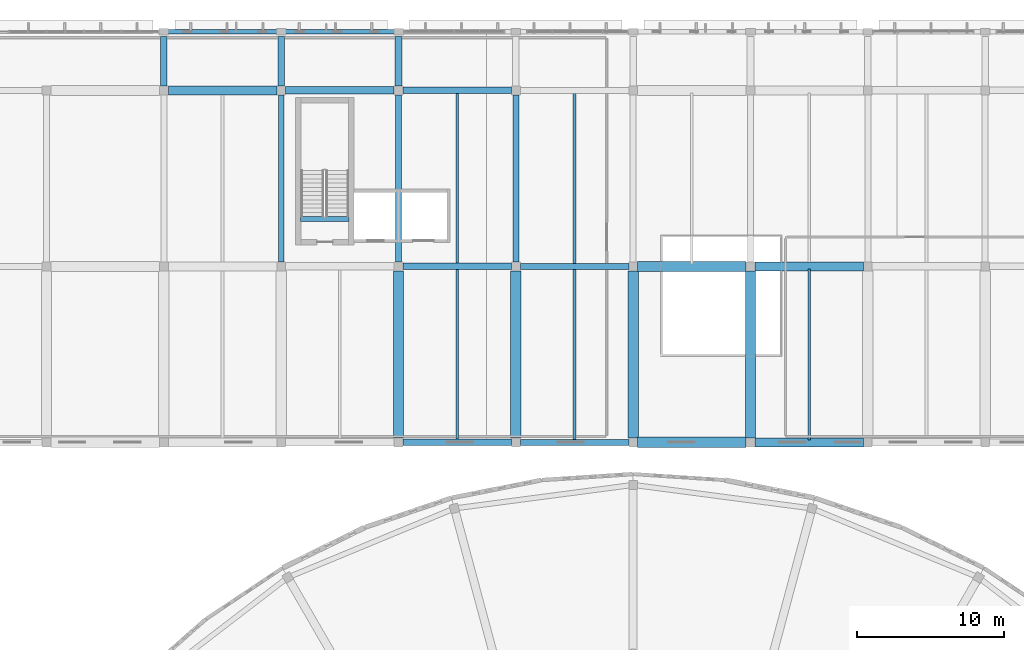
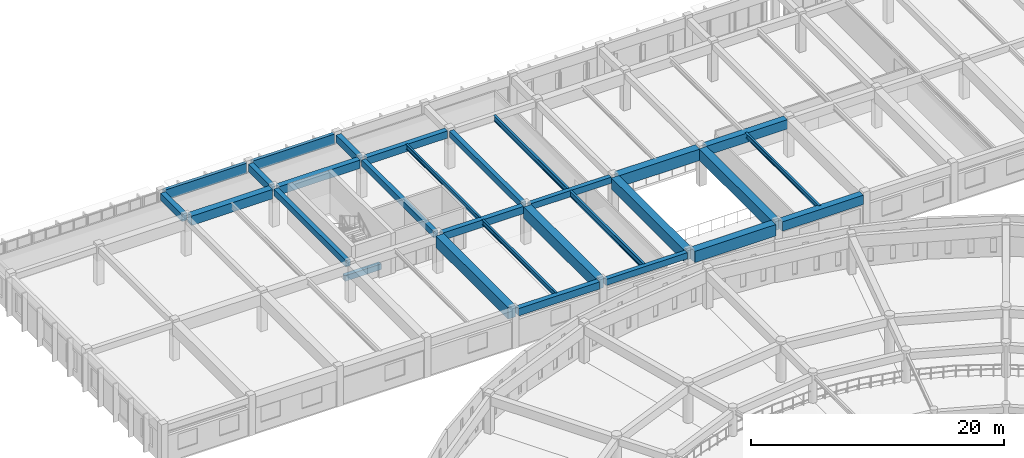
# One storey, part 17 of 98: 29 beams.
"""IFC4 building model written with IfcOpenShell, lengths in metres."""

from ifc_helpers import new_model, si_unit, direction, frame, origin, origin_2d, place, context, subcontext, project, spatial, rectangle, i_section, extrude, material, material_profile, profile_set, type_object, element, save


model = new_model("IFC4")

# Units and contexts
model_context = context("Model", 3, precision=1e-05, world=origin(), true_north=direction((0.0, 1.0)))
body_context = subcontext(model_context, "Body", "Model", "MODEL_VIEW")
ifc_project = project(units=[si_unit("LENGTHUNIT", "METRE"), si_unit("AREAUNIT", "SQUARE_METRE"), si_unit("VOLUMEUNIT", "CUBIC_METRE"), si_unit("PLANEANGLEUNIT", "RADIAN"), si_unit("MASSUNIT", "GRAM", prefix="KILO")], contexts=[model_context])

# Site, building, storey
site_placement = place(None, origin())
site = spatial("IfcSite", under=ifc_project, at=site_placement, CompositionType="ELEMENT")
building_placement = place(site_placement, origin())
building = spatial("IfcBuilding", under=site, at=building_placement, Name="Larkveld Mobility Hub", CompositionType="ELEMENT")
storey_placement = place(building_placement, frame((0.0, 0.0, 4.5)))
storey = spatial("IfcBuildingStorey", under=building, at=storey_placement, Name="L01", CompositionType="ELEMENT", Elevation=4.5)

# Beams
ifc_material_1 = material(Name="Concrete C40/50", Category="concrete")
ifc_material_profile_1 = material_profile(ifc_material_1, rectangle(XDim=0.35009765625, YDim=0.550048828125, at=origin_2d()), Name="RC BM 350x550")
ifc_profile_set_1 = profile_set([ifc_material_profile_1], Name="Concrete C40/50")
beam_type_1 = type_object("IfcBeamType", Name="BM-RC3555", PredefinedType="BEAM", material=ifc_profile_set_1)
beam_1_placement = place(storey_placement, frame((25.330078125, 113.239990234375, -0.27001953125), z_axis=(1.0, 0.0, 0.0), x_axis=(0.0, 1.0, 0.0)))
element("IfcBeam", 1, at=beam_1_placement, inside=storey, type_object=beam_type_1, Name="Core C6 Stair Header Beam L01", PredefinedType="BEAM", context=body_context, shape_type="SweptSolid", body=[
    extrude(rectangle(XDim=0.35009765625, YDim=0.550048828125, at=origin_2d()), origin(), (0.0, 0.0, 1.0), 3.2900390625),
])
ifc_material_profile_2 = material_profile(ifc_material_1, rectangle(XDim=0.39990234375, YDim=0.60009765625, at=origin_2d()), Name="RC BM 400x600")
ifc_profile_set_2 = profile_set([ifc_material_profile_2], Name="Concrete C40/50")
beam_type_2 = type_object("IfcBeamType", Name="BM-RC4060", PredefinedType="BEAM", material=ifc_profile_set_2)
for number, where, z_axis, x_axis, name in (
    (2, (40.300048828125, 98.0, 3.360107421875), (1.0, 0.0, 0.0), (0.0, 1.0, 0.0), "Primary E-W Girder L01-0296"),
    (3, (40.300048828125, 110.0, 3.360107421875), (1.0, 0.0, 0.0), (0.0, 1.0, 0.0), "Primary E-W Girder L01-0316"),
):
    element("IfcBeam", number, at=place(storey_placement, frame(where, z_axis=z_axis, x_axis=x_axis)), inside=storey, type_object=beam_type_2, Name=name, PredefinedType="BEAM", context=body_context, shape_type="SweptSolid", body=[
        extrude(rectangle(XDim=0.39990234375, YDim=0.60009765625, at=origin_2d()), origin(), (0.0, 0.0, 1.0), 7.39990234375),
    ])
for number, where, z_axis, x_axis, name in (
    (4, (24.0, 110.300048828125, 3.360107421875), (0.0, 1.0, 0.0), (-1.0, 0.0, 0.0), "Primary N-S Girder L01-0361"),
    (5, (32.0, 110.300048828125, 3.360107421875), (0.0, 1.0, 0.0), (-1.0, 0.0, 0.0), "Primary N-S Girder L01-0363"),
    (6, (40.0, 110.300048828125, 3.360107421875), (0.0, 1.0, 0.0), (-1.0, 0.0, 0.0), "Primary N-S Girder L01-0366"),
):
    element("IfcBeam", number, at=place(storey_placement, frame(where, z_axis=z_axis, x_axis=x_axis)), inside=storey, type_object=beam_type_2, Name=name, PredefinedType="BEAM", context=body_context, shape_type="SweptSolid", body=[
        extrude(rectangle(XDim=0.39990234375, YDim=0.60009765625, at=origin_2d()), origin(), (0.0, 0.0, 1.0), 11.39990234375),
    ])
ifc_material_profile_3 = material_profile(ifc_material_1, rectangle(XDim=0.449951171875, YDim=0.699951171875, at=origin_2d()), Name="RC BM 450x700")
ifc_profile_set_3 = profile_set([ifc_material_profile_3], Name="Concrete C40/50")
beam_type_3 = type_object("IfcBeamType", Name="BM-RC4570", PredefinedType="BEAM", material=ifc_profile_set_3)
for number, where, z_axis, x_axis, name in (
    (7, (32.300048828125, 98.0, 3.31005859375), (1.0, 0.0, 0.0), (0.0, 1.0, 0.0), "Primary E-W Girder L01-0295"),
    (8, (32.300048828125, 110.0, 3.31005859375), (1.0, 0.0, 0.0), (0.0, 1.0, 0.0), "Primary E-W Girder L01-0315"),
    (9, (32.300048828125, 122.0, 3.31005859375), (1.0, 0.0, 0.0), (0.0, 1.0, 0.0), "Primary E-W Girder L01-0332"),
):
    element("IfcBeam", number, at=place(storey_placement, frame(where, z_axis=z_axis, x_axis=x_axis)), inside=storey, type_object=beam_type_3, Name=name, PredefinedType="BEAM", context=body_context, shape_type="SweptSolid", body=[
        extrude(rectangle(XDim=0.449951171875, YDim=0.699951171875, at=origin_2d()), origin(), (0.0, 0.0, 1.0), 7.39990234375),
    ])
for number, where, z_axis, x_axis, name in (
    (10, (16.0, 122.300048828125, 3.31005859375), (0.0, 1.0, 0.0), (-1.0, 0.0, 0.0), "Primary N-S Girder L01-0359"),
    (11, (24.0, 122.300048828125, 3.31005859375), (0.0, 1.0, 0.0), (-1.0, 0.0, 0.0), "Primary N-S Girder L01-0362"),
    (12, (32.0, 122.300048828125, 3.31005859375), (0.0, 1.0, 0.0), (-1.0, 0.0, 0.0), "Primary N-S Girder L01-0364"),
):
    element("IfcBeam", number, at=place(storey_placement, frame(where, z_axis=z_axis, x_axis=x_axis)), inside=storey, type_object=beam_type_3, Name=name, PredefinedType="BEAM", context=body_context, shape_type="SweptSolid", body=[
        extrude(rectangle(XDim=0.449951171875, YDim=0.699951171875, at=origin_2d()), origin(), (0.0, 0.0, 1.0), 3.375),
    ])
ifc_material_profile_4 = material_profile(ifc_material_1, rectangle(XDim=0.5, YDim=0.800048828125, at=origin_2d()), Name="RC BM 500x800")
ifc_profile_set_4 = profile_set([ifc_material_profile_4], Name="Concrete C40/50")
beam_type_4 = type_object("IfcBeamType", Name="BM-RC5080", PredefinedType="BEAM", material=ifc_profile_set_4)
beam_2_placement = place(storey_placement, frame((24.300048828125, 122.0, 3.260009765625), z_axis=(1.0, 0.0, 0.0), x_axis=(0.0, 1.0, 0.0)))
element("IfcBeam", 13, at=beam_2_placement, inside=storey, type_object=beam_type_4, Name="Primary E-W Girder L01-0331", PredefinedType="BEAM", context=body_context, shape_type="SweptSolid", body=[
    extrude(rectangle(XDim=0.5, YDim=0.800048828125, at=origin_2d()), origin(), (0.0, 0.0, 1.0), 7.39990234375),
])
ifc_material_profile_5 = material_profile(ifc_material_1, rectangle(XDim=0.60009765625, YDim=0.89990234375, at=origin_2d()), Name="RC BM 600x900")
ifc_profile_set_5 = profile_set([ifc_material_profile_5], Name="Concrete C40/50")
beam_type_5 = type_object("IfcBeamType", Name="BM-RC6090", PredefinedType="BEAM", material=ifc_profile_set_5)
for number, where, z_axis, x_axis, name in (
    (14, (56.300048828125, 98.0, 3.2099609375), (1.0, 0.0, 0.0), (0.0, 1.0, 0.0), "Primary E-W Girder L01-0298"),
    (15, (56.300048828125, 110.0, 3.2099609375), (1.0, 0.0, 0.0), (0.0, 1.0, 0.0), "Primary E-W Girder L01-0318"),
    (16, (16.300048828125, 122.0, 3.2099609375), (1.0, 0.0, 0.0), (0.0, 1.0, 0.0), "Primary E-W Girder L01-0330"),
):
    element("IfcBeam", number, at=place(storey_placement, frame(where, z_axis=z_axis, x_axis=x_axis)), inside=storey, type_object=beam_type_5, Name=name, PredefinedType="BEAM", context=body_context, shape_type="SweptSolid", body=[
        extrude(rectangle(XDim=0.60009765625, YDim=0.89990234375, at=origin_2d()), origin(), (0.0, 0.0, 1.0), 7.39990234375),
    ])
ifc_material_profile_6 = material_profile(ifc_material_1, rectangle(XDim=0.699951171875, YDim=1.10009765625, at=origin_2d()), Name="RC BM 700x1100")
ifc_profile_set_6 = profile_set([ifc_material_profile_6], Name="Concrete C40/50")
beam_type_6 = type_object("IfcBeamType", Name="BM-RC70110", PredefinedType="BEAM", material=ifc_profile_set_6)
for number, where, z_axis, x_axis, name in (
    (17, (48.300048828125, 98.0, 3.110107421875), (1.0, 0.0, 0.0), (0.0, 1.0, 0.0), "Primary E-W Girder L01-0297"),
    (18, (48.300048828125, 110.0, 3.110107421875), (1.0, 0.0, 0.0), (0.0, 1.0, 0.0), "Primary E-W Girder L01-0317"),
):
    element("IfcBeam", number, at=place(storey_placement, frame(where, z_axis=z_axis, x_axis=x_axis)), inside=storey, type_object=beam_type_6, Name=name, PredefinedType="BEAM", context=body_context, shape_type="SweptSolid", body=[
        extrude(rectangle(XDim=0.699951171875, YDim=1.10009765625, at=origin_2d()), origin(), (0.0, 0.0, 1.0), 7.39990234375),
    ])
for number, where, z_axis, x_axis, name in (
    (19, (32.0, 98.300048828125, 3.110107421875), (0.0, 1.0, 0.0), (-1.0, 0.0, 0.0), "Primary N-S Girder L01-0363"),
    (20, (40.0, 98.300048828125, 3.110107421875), (0.0, 1.0, 0.0), (-1.0, 0.0, 0.0), "Primary N-S Girder L01-0365"),
    (21, (48.0, 98.300048828125, 3.110107421875), (0.0, 1.0, 0.0), (-1.0, 0.0, 0.0), "Primary N-S Girder L01-0368"),
    (22, (56.0, 98.300048828125, 3.110107421875), (0.0, 1.0, 0.0), (-1.0, 0.0, 0.0), "Primary N-S Girder L01-0371"),
):
    element("IfcBeam", number, at=place(storey_placement, frame(where, z_axis=z_axis, x_axis=x_axis)), inside=storey, type_object=beam_type_6, Name=name, PredefinedType="BEAM", context=body_context, shape_type="SweptSolid", body=[
        extrude(rectangle(XDim=0.699951171875, YDim=1.10009765625, at=origin_2d()), origin(), (0.0, 0.0, 1.0), 11.39990234375),
    ])
ifc_material_2 = material(Name="Precast concrete C50/60", Category="concrete")
ifc_material_profile_7 = material_profile(ifc_material_2, rectangle(XDim=0.300048828125, YDim=0.97998046875, at=origin_2d()), Name="PC SP 300x980")
ifc_profile_set_7 = profile_set([ifc_material_profile_7], Name="Precast concrete C50/60")
beam_type_7 = type_object("IfcBeamType", Name="BM-SP3098", PredefinedType="SPANDREL", material=ifc_profile_set_7)
for number, where, z_axis, x_axis, name in (
    (23, (16.22509765625, 126.0, 3.169921875), (1.0, 0.0, 0.0), (0.0, 1.0, 0.0), "Primary E-W Girder L01-0340"),
    (24, (24.22509765625, 126.0, 3.169921875), (1.0, 0.0, 0.0), (0.0, 1.0, 0.0), "Primary E-W Girder L01-0341"),
):
    element("IfcBeam", number, at=place(storey_placement, frame(where, z_axis=z_axis, x_axis=x_axis)), inside=storey, type_object=beam_type_7, Name=name, PredefinedType="SPANDREL", context=body_context, shape_type="SweptSolid", body=[
        extrude(rectangle(XDim=0.300048828125, YDim=0.97998046875, at=origin_2d()), origin(), (0.0, 0.0, 1.0), 7.5498046875),
    ])
ifc_material_3 = material(Name="Steel S355JR", Category="steel")
ifc_material_profile_8 = material_profile(ifc_material_3, i_section(OverallWidth=0.18994140625, OverallDepth=0.449951171875, WebThickness=0.009521484375, FlangeThickness=0.0146484375, FilletRadius=0.02099609375, at=origin_2d()), Name="IPE 450")
ifc_profile_set_8 = profile_set([ifc_material_profile_8], Name="Steel S355JR")
beam_type_8 = type_object("IfcBeamType", Name="BM-STIPE450", PredefinedType="BEAM", material=ifc_profile_set_8)
for number, where, z_axis, x_axis, name in (
    (25, (36.0, 98.169921875, 3.445068359375), (0.0, 1.0, 0.0), (-1.0, 0.0, 0.0), "Bicycle Hall Secondary Beam L01-1185"),
    (26, (36.0, 110.169921875, 3.445068359375), (0.0, 1.0, 0.0), (-1.0, 0.0, 0.0), "Bicycle Hall Secondary Beam L01-1186"),
    (27, (60.0, 98.169921875, 3.445068359375), (0.0, 1.0, 0.0), (-1.0, 0.0, 0.0), "Bicycle Hall Secondary Beam L01-1190"),
):
    element("IfcBeam", number, at=place(storey_placement, frame(where, z_axis=z_axis, x_axis=x_axis)), inside=storey, type_object=beam_type_8, Name=name, PredefinedType="BEAM", context=body_context, shape_type="SweptSolid", body=[
        extrude(i_section(OverallWidth=0.18994140625, OverallDepth=0.449951171875, WebThickness=0.009521484375, FlangeThickness=0.0146484375, FilletRadius=0.02099609375, at=origin_2d()), origin(), (0.0, 0.0, 1.0), 11.66015625),
    ])
ifc_material_profile_9 = material_profile(ifc_material_3, i_section(OverallWidth=0.2099609375, OverallDepth=0.550048828125, WebThickness=0.010986328125, FlangeThickness=0.01708984375, FilletRadius=0.02392578125, at=origin_2d()), Name="IPE 550")
ifc_profile_set_9 = profile_set([ifc_material_profile_9], Name="Steel S355JR")
beam_type_9 = type_object("IfcBeamType", Name="BM-STIPE550", PredefinedType="BEAM", material=ifc_profile_set_9)
for number, where, z_axis, x_axis, name in (
    (28, (44.0, 98.169921875, 3.39501953125), (0.0, 1.0, 0.0), (-1.0, 0.0, 0.0), "Bicycle Hall Secondary Beam L01-1187"),
    (29, (44.0, 110.169921875, 3.39501953125), (0.0, 1.0, 0.0), (-1.0, 0.0, 0.0), "Bicycle Hall Secondary Beam L01-1188"),
):
    element("IfcBeam", number, at=place(storey_placement, frame(where, z_axis=z_axis, x_axis=x_axis)), inside=storey, type_object=beam_type_9, Name=name, PredefinedType="BEAM", context=body_context, shape_type="SweptSolid", body=[
        extrude(i_section(OverallWidth=0.2099609375, OverallDepth=0.550048828125, WebThickness=0.010986328125, FlangeThickness=0.01708984375, FilletRadius=0.02392578125, at=origin_2d()), origin(), (0.0, 0.0, 1.0), 11.66015625),
    ])

save(model, "model.ifc")
